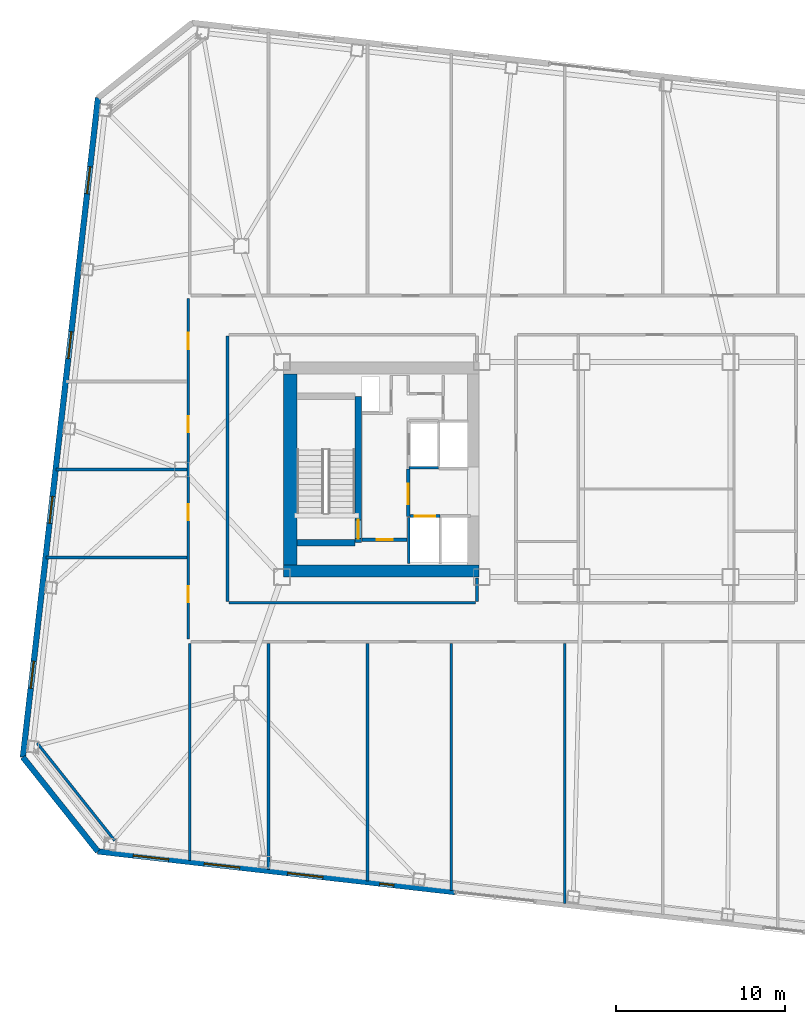
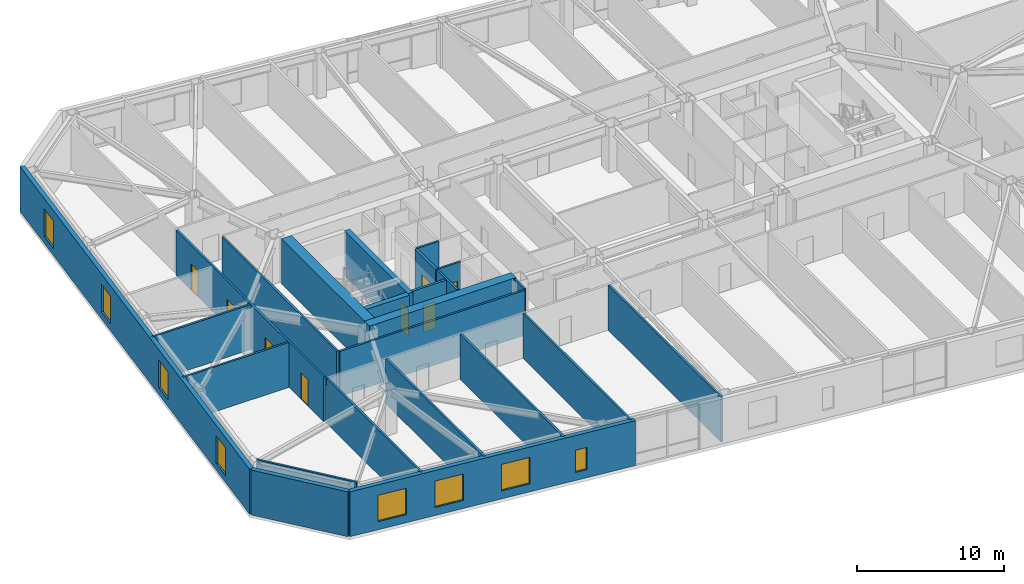
# One storey, part 11 of 21: 24 walls, 8 doors, 8 windows, 16 openings.
"""IFC4 building model written with IfcOpenShell, lengths in metres."""

from ifc_helpers import new_model, si_unit, direction, frame, frame_2d, origin, place, context, subcontext, project, spatial, rectangle, extrude, material, layer, layer_set, type_object, element, fill, save


model = new_model("IFC4")

# Units and contexts
model_context = context("Model", 3, precision=1e-05, world=origin(), true_north=direction((0.0, 1.0)))
body_context = subcontext(model_context, "Body", "Model", "MODEL_VIEW")
ifc_project = project(units=[si_unit("LENGTHUNIT", "METRE"), si_unit("AREAUNIT", "SQUARE_METRE"), si_unit("VOLUMEUNIT", "CUBIC_METRE"), si_unit("PLANEANGLEUNIT", "RADIAN"), si_unit("MASSUNIT", "GRAM", prefix="KILO")], contexts=[model_context])

# Site, building, storey
site_placement = place(None, origin())
site = spatial("IfcSite", under=ifc_project, at=site_placement, CompositionType="ELEMENT")
building_placement = place(site_placement, origin())
building = spatial("IfcBuilding", under=site, at=building_placement, Name="Tavrogorsk Clinical Tower", CompositionType="ELEMENT")
storey_placement = place(building_placement, frame((0.0, 0.0, 129.39990234375)))
storey = spatial("IfcBuildingStorey", under=building, at=storey_placement, Name="L29", CompositionType="ELEMENT", Elevation=129.39990234375)

# Wall, opening, door
ifc_material_1 = material(Name="Concrete B60", Category="concrete")
ifc_layer_1 = layer(ifc_material_1, 0.199951171875)
ifc_layer_set_1 = layer_set([ifc_layer_1], Name="Concrete B60")
wall_type_1 = type_object("IfcWallType", Name="CoreFireWall_200", PredefinedType="SOLIDWALL", material=ifc_layer_set_1)
wall_1_placement = place(storey_placement, frame((-17.3798828125, -4.139892578125, 0.0), z_axis=(0.0, 0.0, 1.0), x_axis=(1.0, 0.0, 0.0)))
wall_1 = element("IfcWall", 1, at=wall_1_placement, inside=storey, type_object=wall_type_1, Name="L29 Core West South Core Room Fire Wall", PredefinedType="SOLIDWALL", context=body_context, shape_type="SweptSolid", body=[
    extrude(rectangle(XDim=2.659912109375, YDim=0.199951171875, at=frame_2d((1.330078125, 0.0))), origin(), (0.0, 0.0, 1.0), 3.739990234375),
])
opening_1_placement = place(wall_1_placement, frame((0.8798828125, 0.0, 0.0)))
opening_1 = element("IfcOpeningElement", 2, at=opening_1_placement, cuts=wall_1, Name="Opening ID-02", PredefinedType="OPENING", context=body_context, shape_type="SweptSolid", body=[
    extrude(rectangle(XDim=0.949951171875, YDim=2.199951171875, at=frame_2d((0.47509765625, 1.10009765625))), frame((0.0, 0.10986328125, 0.0), z_axis=(0.0, -1.0, 0.0), x_axis=(1.0, 0.0, 0.0)), (0.0, 0.0, 1.0), 0.219970703125),
])
ifc_material_2 = material(Name="Laminated timber leaf on aluminium frame", Category="wood")
door_type_1 = type_object("IfcDoorType", Name="InteriorDoor_ID02_950", OperationType="NOTDEFINED", PredefinedType="DOOR", material=ifc_material_2)
door_1_placement = place(opening_1_placement, origin())
door_1 = element("IfcDoor", 3, at=door_1_placement, inside=storey, type_object=door_type_1, Name="L29 Core West South Core Room Door", OperationType="SINGLE_SWING_RIGHT", OverallHeight=2.199951171875, OverallWidth=0.949951171875, PredefinedType="DOOR", context=body_context, shape_type="SweptSolid", body=[
    extrude(rectangle(XDim=0.949951171875, YDim=2.199951171875, at=frame_2d((0.47509765625, 1.10009765625))), frame((0.0, 0.02490234375, 0.0), z_axis=(0.0, -1.0, 0.0), x_axis=(1.0, 0.0, 0.0)), (0.0, 0.0, 1.0), 0.050048828125),
])
fill(opening_1, door_1)

wall_2_placement = place(storey_placement, frame((-14.639892578125, -2.780029296875, 0.0), z_axis=(0.0, 0.0, 1.0), x_axis=(0.0, 1.0, 0.0)))
wall_2 = element("IfcWall", 4, at=wall_2_placement, inside=storey, type_object=wall_type_1, Name="L29 Core West Firefighting Lobby Fire Wall", PredefinedType="SOLIDWALL", context=body_context, shape_type="SweptSolid", body=[
    extrude(rectangle(XDim=2.820068359375, YDim=0.199951171875, at=frame_2d((1.41015625, 0.0))), origin(), (0.0, 0.0, 1.0), 3.739990234375),
])
opening_2_placement = place(wall_2_placement, frame((0.72998046875, 0.0, 0.0)))
opening_2 = element("IfcOpeningElement", 5, at=opening_2_placement, cuts=wall_2, Name="Opening FD-01", PredefinedType="OPENING", context=body_context, shape_type="SweptSolid", body=[
    extrude(rectangle(XDim=1.199951171875, YDim=2.199951171875, at=frame_2d((0.60009765625, 1.10009765625))), frame((0.0, 0.10986328125, 0.0), z_axis=(0.0, -1.0, 0.0), x_axis=(1.0, 0.0, 0.0)), (0.0, 0.0, 1.0), 0.219970703125),
])
ifc_material_3 = material(Name="Galvanised steel fire-rated door assembly", Category="steel")
door_type_2 = type_object("IfcDoorType", Name="FireDoor_FD01_1200", OperationType="NOTDEFINED", PredefinedType="DOOR", material=ifc_material_3)
door_2_placement = place(opening_2_placement, origin())
door_2 = element("IfcDoor", 6, at=door_2_placement, inside=storey, type_object=door_type_2, Name="L29 Core West Firefighting Lobby Entry Door", OperationType="SINGLE_SWING_LEFT", OverallHeight=2.199951171875, OverallWidth=1.199951171875, PredefinedType="DOOR", context=body_context, shape_type="SweptSolid", body=[
    extrude(rectangle(XDim=1.199951171875, YDim=2.199951171875, at=frame_2d((0.60009765625, 1.10009765625))), frame((0.0, 0.02490234375, 0.0), z_axis=(0.0, -1.0, 0.0), x_axis=(1.0, 0.0, 0.0)), (0.0, 0.0, 1.0), 0.050048828125),
])
fill(opening_2, door_2)

# Wall
ifc_material_4 = material(Name="Lightweight concrete blockwork B15", Category="masonry")
ifc_layer_2 = layer(ifc_material_4, 0.159912109375)
ifc_layer_set_2 = layer_set([ifc_layer_2], Name="Lightweight concrete blockwork B15")
wall_type_2 = type_object("IfcWallType", Name="PartitionWall_160", PredefinedType="PARTITIONING", material=ifc_layer_set_2)
wall_3_placement = place(storey_placement, frame((-36.555908203125, -16.161865234375, 0.0), z_axis=(0.0, 0.0, 1.0), x_axis=(0.622522641622, -0.782601789334, 0.0)))
element("IfcWall", 7, at=wall_3_placement, inside=storey, type_object=wall_type_2, Name="L29 Corner Exoskeleton Brace Furring Wall 4", PredefinedType="PARTITIONING", context=body_context, shape_type="SweptSolid", body=[
    extrude(rectangle(XDim=7.354248046875, YDim=0.159912109375, at=frame_2d((3.67724609375, 0.0))), origin(), (0.0, 0.0, 1.0), 3.739990234375),
])

# Wall, openings, doors
wall_4_placement = place(storey_placement, frame((-27.6298828125, -10.014892578125, 0.0), z_axis=(0.0, 0.0, 1.0), x_axis=(0.0, 1.0, 0.0)))
wall_4 = element("IfcWall", 8, at=wall_4_placement, inside=storey, type_object=wall_type_2, Name="L29 Corridor Partition 01", PredefinedType="PARTITIONING", context=body_context, shape_type="SweptSolid", body=[
    extrude(rectangle(XDim=20.1298828125, YDim=0.159912109375, at=frame_2d((10.06494140625, 0.0))), origin(), (0.0, 0.0, 1.0), 3.739990234375),
])
opening_3_placement = place(wall_4_placement, frame((2.169189453125, 0.0, 0.0)))
opening_3 = element("IfcOpeningElement", 9, at=opening_3_placement, cuts=wall_4, Name="Opening ID-02", PredefinedType="OPENING", context=body_context, shape_type="SweptSolid", body=[
    extrude(rectangle(XDim=0.949951171875, YDim=2.199951171875, at=frame_2d((0.47509765625, 1.10009765625))), frame((0.0, 0.08984375, 0.0), z_axis=(0.0, -1.0, 0.0), x_axis=(1.0, 0.0, 0.0)), (0.0, 0.0, 1.0), 0.179931640625),
])
opening_4_placement = place(wall_4_placement, frame((7.02490234375, 0.0, 0.0)))
opening_4 = element("IfcOpeningElement", 10, at=opening_4_placement, cuts=wall_4, Name="Opening ID-02", PredefinedType="OPENING", context=body_context, shape_type="SweptSolid", body=[
    extrude(rectangle(XDim=0.949951171875, YDim=2.199951171875, at=frame_2d((0.47509765625, 1.10009765625))), frame((0.0, 0.08984375, 0.0), z_axis=(0.0, -1.0, 0.0), x_axis=(1.0, 0.0, 0.0)), (0.0, 0.0, 1.0), 0.179931640625),
])
opening_5_placement = place(wall_4_placement, frame((12.22509765625, 0.0, 0.0)))
opening_5 = element("IfcOpeningElement", 11, at=opening_5_placement, cuts=wall_4, Name="Opening ID-02", PredefinedType="OPENING", context=body_context, shape_type="SweptSolid", body=[
    extrude(rectangle(XDim=0.949951171875, YDim=2.199951171875, at=frame_2d((0.47509765625, 1.10009765625))), frame((0.0, 0.08984375, 0.0), z_axis=(0.0, -1.0, 0.0), x_axis=(1.0, 0.0, 0.0)), (0.0, 0.0, 1.0), 0.179931640625),
])
opening_6_placement = place(wall_4_placement, frame((17.130859375, 0.0, 0.0)))
opening_6 = element("IfcOpeningElement", 12, at=opening_6_placement, cuts=wall_4, Name="Opening ID-02", PredefinedType="OPENING", context=body_context, shape_type="SweptSolid", body=[
    extrude(rectangle(XDim=0.949951171875, YDim=2.199951171875, at=frame_2d((0.47509765625, 1.10009765625))), frame((0.0, 0.08984375, 0.0), z_axis=(0.0, -1.0, 0.0), x_axis=(1.0, 0.0, 0.0)), (0.0, 0.0, 1.0), 0.179931640625),
])
door_3_placement = place(opening_3_placement, origin())
door_3 = element("IfcDoor", 13, at=door_3_placement, inside=storey, type_object=door_type_1, Name="L29 W Solarium Day Room & Lounge 1 Door", OperationType="SINGLE_SWING_RIGHT", OverallHeight=2.199951171875, OverallWidth=0.949951171875, PredefinedType="DOOR", context=body_context, shape_type="SweptSolid", body=[
    extrude(rectangle(XDim=0.949951171875, YDim=2.199951171875, at=frame_2d((0.47509765625, 1.10009765625))), frame((0.0, 0.02490234375, 0.0), z_axis=(0.0, -1.0, 0.0), x_axis=(1.0, 0.0, 0.0)), (0.0, 0.0, 1.0), 0.050048828125),
])
fill(opening_3, door_3)
door_4_placement = place(opening_4_placement, origin())
door_4 = element("IfcDoor", 14, at=door_4_placement, inside=storey, type_object=door_type_1, Name="L29 W Rehabilitation Therapy Suite 2 Door", OperationType="SINGLE_SWING_LEFT", OverallHeight=2.199951171875, OverallWidth=0.949951171875, PredefinedType="DOOR", context=body_context, shape_type="SweptSolid", body=[
    extrude(rectangle(XDim=0.949951171875, YDim=2.199951171875, at=frame_2d((0.47509765625, 1.10009765625))), frame((0.0, 0.02490234375, 0.0), z_axis=(0.0, -1.0, 0.0), x_axis=(1.0, 0.0, 0.0)), (0.0, 0.0, 1.0), 0.050048828125),
])
fill(opening_4, door_4)
door_5_placement = place(opening_5_placement, origin())
door_5 = element("IfcDoor", 15, at=door_5_placement, inside=storey, type_object=door_type_1, Name="L29 W Sub-Acute Observation Suite 3 Door", OperationType="SINGLE_SWING_RIGHT", OverallHeight=2.199951171875, OverallWidth=0.949951171875, PredefinedType="DOOR", context=body_context, shape_type="SweptSolid", body=[
    extrude(rectangle(XDim=0.949951171875, YDim=2.199951171875, at=frame_2d((0.47509765625, 1.10009765625))), frame((0.0, 0.02490234375, 0.0), z_axis=(0.0, -1.0, 0.0), x_axis=(1.0, 0.0, 0.0)), (0.0, 0.0, 1.0), 0.050048828125),
])
fill(opening_5, door_5)
door_6_placement = place(opening_6_placement, origin())
door_6 = element("IfcDoor", 16, at=door_6_placement, inside=storey, type_object=door_type_1, Name="L29 W Family Consultation Lounge 4 Door", OperationType="SINGLE_SWING_LEFT", OverallHeight=2.199951171875, OverallWidth=0.949951171875, PredefinedType="DOOR", context=body_context, shape_type="SweptSolid", body=[
    extrude(rectangle(XDim=0.949951171875, YDim=2.199951171875, at=frame_2d((0.47509765625, 1.10009765625))), frame((0.0, 0.02490234375, 0.0), z_axis=(0.0, -1.0, 0.0), x_axis=(1.0, 0.0, 0.0)), (0.0, 0.0, 1.0), 0.050048828125),
])
fill(opening_6, door_6)

# Walls
wall_5_placement = place(storey_placement, frame((-10.580078125, -7.784912109375, 0.0), z_axis=(0.0, 0.0, 1.0), x_axis=(0.0, 1.0, 0.0)))
element("IfcWall", 17, at=wall_5_placement, inside=storey, type_object=wall_type_2, Name="L29 Corridor Partition 14", PredefinedType="PARTITIONING", context=body_context, shape_type="SweptSolid", body=[
    extrude(rectangle(XDim=1.364990234375, YDim=0.159912109375, at=frame_2d((0.6826171875, 0.0))), origin(), (0.0, 0.0, 1.0), 3.739990234375),
])
wall_6_placement = place(storey_placement, frame((-25.320068359375, 7.885009765625, 0.0), z_axis=(0.0, 0.0, 1.0), x_axis=(0.0, -1.0, 0.0)))
element("IfcWall", 18, at=wall_6_placement, inside=storey, type_object=wall_type_2, Name="L29 Corridor Partition 17", PredefinedType="PARTITIONING", context=body_context, shape_type="SweptSolid", body=[
    extrude(rectangle(XDim=15.669921875, YDim=0.159912109375, at=frame_2d((7.8349609375, 0.0))), origin(), (0.0, 0.0, 1.0), 3.739990234375),
])
wall_7_placement = place(storey_placement, frame((-25.235107421875, -7.8701171875, 0.0), z_axis=(0.0, 0.0, 1.0), x_axis=(1.0, 0.0, 0.0)))
element("IfcWall", 19, at=wall_7_placement, inside=storey, type_object=wall_type_2, Name="L29 Corridor Partition 18", PredefinedType="PARTITIONING", context=body_context, shape_type="SweptSolid", body=[
    extrude(rectangle(XDim=14.570068359375, YDim=0.159912109375, at=frame_2d((7.28515625, 0.0))), origin(), (0.0, 0.0, 1.0), 3.739990234375),
])
wall_8_placement = place(storey_placement, frame((-27.550048828125, -23.1064453125, 0.0), z_axis=(0.0, 0.0, 1.0), x_axis=(0.0, 1.0, 0.0)))
element("IfcWall", 20, at=wall_8_placement, inside=storey, type_object=wall_type_2, Name="L29 SW Wing Closure Partition", PredefinedType="PARTITIONING", context=body_context, shape_type="SweptSolid", body=[
    extrude(rectangle(XDim=12.841552734375, YDim=0.159912109375, at=frame_2d((6.4208984375, 0.0))), origin(), (0.0, 0.0, 1.0), 3.739990234375),
])
wall_9_placement = place(storey_placement, frame((-22.89990234375, -23.63623046875, 0.0), z_axis=(0.0, 0.0, 1.0), x_axis=(0.0, 1.0, 0.0)))
element("IfcWall", 21, at=wall_9_placement, inside=storey, type_object=wall_type_2, Name="L29 South Room Partition 1", PredefinedType="PARTITIONING", context=body_context, shape_type="SweptSolid", body=[
    extrude(rectangle(XDim=13.371337890625, YDim=0.159912109375, at=frame_2d((6.685546875, 0.0))), origin(), (0.0, 0.0, 1.0), 3.739990234375),
])
wall_10_placement = place(storey_placement, frame((-12.10009765625, -24.86669921875, 0.0), z_axis=(0.0, 0.0, 1.0), x_axis=(0.0, 1.0, 0.0)))
element("IfcWall", 22, at=wall_10_placement, inside=storey, type_object=wall_type_2, Name="L29 South Room Partition 2", PredefinedType="PARTITIONING", context=body_context, shape_type="SweptSolid", body=[
    extrude(rectangle(XDim=14.601806640625, YDim=0.159912109375, at=frame_2d((7.30078125, 0.0))), origin(), (0.0, 0.0, 1.0), 3.739990234375),
])
wall_11_placement = place(storey_placement, frame((-17.050048828125, -24.302734375, 0.0), z_axis=(0.0, 0.0, 1.0), x_axis=(0.0, 1.0, 0.0)))
element("IfcWall", 23, at=wall_11_placement, inside=storey, type_object=wall_type_2, Name="L29 South Sub-Partition 2", PredefinedType="PARTITIONING", context=body_context, shape_type="SweptSolid", body=[
    extrude(rectangle(XDim=14.037841796875, YDim=0.159912109375, at=frame_2d((7.01904296875, 0.0))), origin(), (0.0, 0.0, 1.0), 3.739990234375),
])
wall_12_placement = place(storey_placement, frame((-5.39990234375, -25.630126953125, 0.0), z_axis=(0.0, 0.0, 1.0), x_axis=(0.0, 1.0, 0.0)))
element("IfcWall", 24, at=wall_12_placement, inside=storey, type_object=wall_type_2, Name="L29 South Sub-Partition 3", PredefinedType="PARTITIONING", context=body_context, shape_type="SweptSolid", body=[
    extrude(rectangle(XDim=15.365234375, YDim=0.159912109375, at=frame_2d((7.6826171875, 0.0))), origin(), (0.0, 0.0, 1.0), 3.739990234375),
])
wall_13_placement = place(storey_placement, frame((-36.0419921875, -5.199951171875, 0.0), z_axis=(0.0, 0.0, 1.0), x_axis=(1.0, 0.0, 0.0)))
element("IfcWall", 25, at=wall_13_placement, inside=storey, type_object=wall_type_2, Name="L29 W Wing Divider 1", PredefinedType="PARTITIONING", context=body_context, shape_type="SweptSolid", body=[
    extrude(rectangle(XDim=8.326904296875, YDim=0.159912109375, at=frame_2d((4.16357421875, 0.0))), origin(), (0.0, 0.0, 1.0), 3.739990234375),
])
wall_14_placement = place(storey_placement, frame((-35.449462890625, 0.0, 0.0), z_axis=(0.0, 0.0, 1.0), x_axis=(1.0, 0.0, 0.0)))
element("IfcWall", 26, at=wall_14_placement, inside=storey, type_object=wall_type_2, Name="L29 W Wing Divider 2", PredefinedType="PARTITIONING", context=body_context, shape_type="SweptSolid", body=[
    extrude(rectangle(XDim=7.734375, YDim=0.159912109375, at=frame_2d((3.8671875, 0.0))), origin(), (0.0, 0.0, 1.0), 3.739990234375),
])

# Wall, openings, windows
ifc_material_5 = material(Name="Precast concrete B45 with limestone cladding", Category="masonry")
ifc_layer_3 = layer(ifc_material_5, 0.340087890625)
ifc_layer_set_3 = layer_set([ifc_layer_3], Name="Precast concrete B45 with limestone cladding")
wall_type_3 = type_object("IfcWallType", Name="PrecastLimestoneWall_340", PredefinedType="STANDARD", material=ifc_layer_set_3)
wall_15_placement = place(storey_placement, frame((-32.977294921875, -22.55859375, 0.0), z_axis=(0.0, 0.0, 1.0), x_axis=(0.993571214605, -0.113208840243, 0.0)))
wall_15 = element("IfcWall", 27, at=wall_15_placement, inside=storey, type_object=wall_type_3, Name="L29 S Limestone Facade Wall 1", PredefinedType="STANDARD", context=body_context, shape_type="SweptSolid", body=[
    extrude(rectangle(XDim=21.22265625, YDim=0.340087890625, at=frame_2d((10.611328125, 0.0))), origin(), (0.0, 0.0, 1.0), 3.739990234375),
])
opening_7_placement = place(wall_15_placement, frame((2.10791015625, 0.0, 0.669921875)))
opening_7 = element("IfcOpeningElement", 28, at=opening_7_placement, cuts=wall_15, Name="Opening WN-03", PredefinedType="OPENING", context=body_context, shape_type="SweptSolid", body=[
    extrude(rectangle(XDim=2.10009765625, YDim=2.199951171875, at=frame_2d((1.050048828125, 1.10009765625))), frame((0.0, 0.179931640625, 0.0), z_axis=(0.0, -1.0, 0.0), x_axis=(1.0, 0.0, 0.0)), (0.0, 0.0, 1.0), 0.360107421875),
])
opening_8_placement = place(wall_15_placement, frame((6.329345703125, 0.0, 0.669921875)))
opening_8 = element("IfcOpeningElement", 29, at=opening_8_placement, cuts=wall_15, Name="Opening WN-03", PredefinedType="OPENING", context=body_context, shape_type="SweptSolid", body=[
    extrude(rectangle(XDim=2.10009765625, YDim=2.199951171875, at=frame_2d((1.050048828125, 1.10009765625))), frame((0.0, 0.179931640625, 0.0), z_axis=(0.0, -1.0, 0.0), x_axis=(1.0, 0.0, 0.0)), (0.0, 0.0, 1.0), 0.360107421875),
])
opening_9_placement = place(wall_15_placement, frame((11.284912109375, 0.0, 0.669921875)))
opening_9 = element("IfcOpeningElement", 30, at=opening_9_placement, cuts=wall_15, Name="Opening WN-03", PredefinedType="OPENING", context=body_context, shape_type="SweptSolid", body=[
    extrude(rectangle(XDim=2.10009765625, YDim=2.199951171875, at=frame_2d((1.050048828125, 1.10009765625))), frame((0.0, 0.179931640625, 0.0), z_axis=(0.0, -1.0, 0.0), x_axis=(1.0, 0.0, 0.0)), (0.0, 0.0, 1.0), 0.360107421875),
])
opening_10_placement = place(wall_15_placement, frame((16.75634765625, 0.0, 0.669921875)))
opening_10 = element("IfcOpeningElement", 31, at=opening_10_placement, cuts=wall_15, Name="Opening WN-06", PredefinedType="OPENING", context=body_context, shape_type="SweptSolid", body=[
    extrude(rectangle(XDim=0.85009765625, YDim=1.85009765625, at=frame_2d((0.425048828125, 0.925048828125))), frame((0.0, 0.179931640625, 0.0), z_axis=(0.0, -1.0, 0.0), x_axis=(1.0, 0.0, 0.0)), (0.0, 0.0, 1.0), 0.360107421875),
])
ifc_material_6 = material(Name="Thermally broken aluminium frame and triple IGU", Category="aluminium")
window_type_1 = type_object("IfcWindowType", Name="MullionSubWin_850x1850", PartitioningType="SINGLE_PANEL", PredefinedType="WINDOW", material=ifc_material_6)
window_1_placement = place(opening_10_placement, origin())
window_1 = element("IfcWindow", 32, at=window_1_placement, inside=storey, type_object=window_type_1, Name="L29 S Mullion Split Window 04B", OverallHeight=1.85009765625, OverallWidth=0.85009765625, PartitioningType="SINGLE_PANEL", PredefinedType="WINDOW", context=body_context, shape_type="SweptSolid", body=[
    extrude(rectangle(XDim=0.85009765625, YDim=1.85009765625, at=frame_2d((0.425048828125, 0.925048828125))), frame((0.0, 0.030029296875, 0.0), z_axis=(0.0, -1.0, 0.0), x_axis=(1.0, 0.0, 0.0)), (0.0, 0.0, 1.0), 0.06005859375),
])
fill(opening_10, window_1)
ifc_material_7 = material(Name="Thermally broken aluminium frame and triple IGU", Category="aluminium")
window_type_2 = type_object("IfcWindowType", Name="PatientTwinWin_2100x2200", PartitioningType="DOUBLE_PANEL_VERTICAL", PredefinedType="WINDOW", material=ifc_material_7)
window_2_placement = place(opening_7_placement, origin())
window_2 = element("IfcWindow", 33, at=window_2_placement, inside=storey, type_object=window_type_2, Name="L29 S Chicago Window 01", OverallHeight=2.199951171875, OverallWidth=2.10009765625, PartitioningType="SINGLE_PANEL", PredefinedType="WINDOW", context=body_context, shape_type="SweptSolid", body=[
    extrude(rectangle(XDim=2.10009765625, YDim=2.199951171875, at=frame_2d((1.050048828125, 1.10009765625))), frame((0.0, 0.030029296875, 0.0), z_axis=(0.0, -1.0, 0.0), x_axis=(1.0, 0.0, 0.0)), (0.0, 0.0, 1.0), 0.06005859375),
])
fill(opening_7, window_2)
window_3_placement = place(opening_8_placement, origin())
window_3 = element("IfcWindow", 34, at=window_3_placement, inside=storey, type_object=window_type_2, Name="L29 S Chicago Window 02", OverallHeight=2.199951171875, OverallWidth=2.10009765625, PartitioningType="SINGLE_PANEL", PredefinedType="WINDOW", context=body_context, shape_type="SweptSolid", body=[
    extrude(rectangle(XDim=2.10009765625, YDim=2.199951171875, at=frame_2d((1.050048828125, 1.10009765625))), frame((0.0, 0.030029296875, 0.0), z_axis=(0.0, -1.0, 0.0), x_axis=(1.0, 0.0, 0.0)), (0.0, 0.0, 1.0), 0.06005859375),
])
fill(opening_8, window_3)
window_4_placement = place(opening_9_placement, origin())
window_4 = element("IfcWindow", 35, at=window_4_placement, inside=storey, type_object=window_type_2, Name="L29 S Chicago Window 03", OverallHeight=2.199951171875, OverallWidth=2.10009765625, PartitioningType="SINGLE_PANEL", PredefinedType="WINDOW", context=body_context, shape_type="SweptSolid", body=[
    extrude(rectangle(XDim=2.10009765625, YDim=2.199951171875, at=frame_2d((1.050048828125, 1.10009765625))), frame((0.0, 0.030029296875, 0.0), z_axis=(0.0, -1.0, 0.0), x_axis=(1.0, 0.0, 0.0)), (0.0, 0.0, 1.0), 0.06005859375),
])
fill(opening_9, window_4)

wall_16_placement = place(storey_placement, frame((-32.968017578125, 21.95654296875, 0.0), z_axis=(0.0, 0.0, 1.0), x_axis=(-0.113201605824, -0.993572038877, 0.0)))
wall_16 = element("IfcWall", 36, at=wall_16_placement, inside=storey, type_object=wall_type_3, Name="L29 W Pleated Limestone Wing Wall", PredefinedType="STANDARD", context=body_context, shape_type="SweptSolid", body=[
    extrude(rectangle(XDim=39.199951171875, YDim=0.340087890625, at=frame_2d((19.60009765625, 0.0))), origin(), (0.0, 0.0, 1.0), 3.739990234375),
])
opening_11_placement = place(wall_16_placement, frame((4.10009765625, 0.0, 0.580078125)))
opening_11 = element("IfcOpeningElement", 37, at=opening_11_placement, cuts=wall_16, Name="Opening WN-07", PredefinedType="OPENING", context=body_context, shape_type="SweptSolid", body=[
    extrude(rectangle(XDim=1.60009765625, YDim=2.300048828125, at=frame_2d((0.800048828125, 1.14990234375))), frame((0.0, 0.179931640625, 0.0), z_axis=(0.0, -1.0, 0.0), x_axis=(1.0, 0.0, 0.0)), (0.0, 0.0, 1.0), 0.360107421875),
])
opening_12_placement = place(wall_16_placement, frame((13.89990234375, 0.0, 0.580078125)))
opening_12 = element("IfcOpeningElement", 38, at=opening_12_placement, cuts=wall_16, Name="Opening WN-07", PredefinedType="OPENING", context=body_context, shape_type="SweptSolid", body=[
    extrude(rectangle(XDim=1.60009765625, YDim=2.300048828125, at=frame_2d((0.800048828125, 1.14990234375))), frame((0.0, 0.179931640625, 0.0), z_axis=(0.0, -1.0, 0.0), x_axis=(1.0, 0.0, 0.0)), (0.0, 0.0, 1.0), 0.360107421875),
])
opening_13_placement = place(wall_16_placement, frame((23.699951171875, 0.0, 0.580078125)))
opening_13 = element("IfcOpeningElement", 39, at=opening_13_placement, cuts=wall_16, Name="Opening WN-07", PredefinedType="OPENING", context=body_context, shape_type="SweptSolid", body=[
    extrude(rectangle(XDim=1.60009765625, YDim=2.300048828125, at=frame_2d((0.800048828125, 1.14990234375))), frame((0.0, 0.179931640625, 0.0), z_axis=(0.0, -1.0, 0.0), x_axis=(1.0, 0.0, 0.0)), (0.0, 0.0, 1.0), 0.360107421875),
])
opening_14_placement = place(wall_16_placement, frame((33.5, 0.0, 0.580078125)))
opening_14 = element("IfcOpeningElement", 40, at=opening_14_placement, cuts=wall_16, Name="Opening WN-07", PredefinedType="OPENING", context=body_context, shape_type="SweptSolid", body=[
    extrude(rectangle(XDim=1.60009765625, YDim=2.300048828125, at=frame_2d((0.800048828125, 1.14990234375))), frame((0.0, 0.179931640625, 0.0), z_axis=(0.0, -1.0, 0.0), x_axis=(1.0, 0.0, 0.0)), (0.0, 0.0, 1.0), 0.360107421875),
])
ifc_material_8 = material(Name="Thermally broken aluminium frame and triple IGU", Category="aluminium")
window_type_3 = type_object("IfcWindowType", Name="PleatSlotWin_1600x2300", PartitioningType="SINGLE_PANEL", PredefinedType="WINDOW", material=ifc_material_8)
window_5_placement = place(opening_11_placement, origin())
window_5 = element("IfcWindow", 41, at=window_5_placement, inside=storey, type_object=window_type_3, Name="L29 W Pleat Slot Window 1", OverallHeight=2.300048828125, OverallWidth=1.60009765625, PartitioningType="SINGLE_PANEL", PredefinedType="WINDOW", context=body_context, shape_type="SweptSolid", body=[
    extrude(rectangle(XDim=1.60009765625, YDim=2.300048828125, at=frame_2d((0.800048828125, 1.14990234375))), frame((0.0, 0.030029296875, 0.0), z_axis=(0.0, -1.0, 0.0), x_axis=(1.0, 0.0, 0.0)), (0.0, 0.0, 1.0), 0.06005859375),
])
fill(opening_11, window_5)
window_6_placement = place(opening_12_placement, origin())
window_6 = element("IfcWindow", 42, at=window_6_placement, inside=storey, type_object=window_type_3, Name="L29 W Pleat Slot Window 2", OverallHeight=2.300048828125, OverallWidth=1.60009765625, PartitioningType="SINGLE_PANEL", PredefinedType="WINDOW", context=body_context, shape_type="SweptSolid", body=[
    extrude(rectangle(XDim=1.60009765625, YDim=2.300048828125, at=frame_2d((0.800048828125, 1.14990234375))), frame((0.0, 0.030029296875, 0.0), z_axis=(0.0, -1.0, 0.0), x_axis=(1.0, 0.0, 0.0)), (0.0, 0.0, 1.0), 0.06005859375),
])
fill(opening_12, window_6)
window_7_placement = place(opening_13_placement, origin())
window_7 = element("IfcWindow", 43, at=window_7_placement, inside=storey, type_object=window_type_3, Name="L29 W Pleat Slot Window 3", OverallHeight=2.300048828125, OverallWidth=1.60009765625, PartitioningType="SINGLE_PANEL", PredefinedType="WINDOW", context=body_context, shape_type="SweptSolid", body=[
    extrude(rectangle(XDim=1.60009765625, YDim=2.300048828125, at=frame_2d((0.800048828125, 1.14990234375))), frame((0.0, 0.030029296875, 0.0), z_axis=(0.0, -1.0, 0.0), x_axis=(1.0, 0.0, 0.0)), (0.0, 0.0, 1.0), 0.06005859375),
])
fill(opening_13, window_7)
window_8_placement = place(opening_14_placement, origin())
window_8 = element("IfcWindow", 44, at=window_8_placement, inside=storey, type_object=window_type_3, Name="L29 W Pleat Slot Window 4", OverallHeight=2.300048828125, OverallWidth=1.60009765625, PartitioningType="SINGLE_PANEL", PredefinedType="WINDOW", context=body_context, shape_type="SweptSolid", body=[
    extrude(rectangle(XDim=1.60009765625, YDim=2.300048828125, at=frame_2d((0.800048828125, 1.14990234375))), frame((0.0, 0.030029296875, 0.0), z_axis=(0.0, -1.0, 0.0), x_axis=(1.0, 0.0, 0.0)), (0.0, 0.0, 1.0), 0.06005859375),
])
fill(opening_14, window_8)

# Walls
wall_17_placement = place(storey_placement, frame((-37.405517578125, -16.991455078125, 0.0), z_axis=(0.0, 0.0, 1.0), x_axis=(0.622507800567, -0.78261359446, 0.0)))
element("IfcWall", 45, at=wall_17_placement, inside=storey, type_object=wall_type_3, Name="L29 Chamfered Corner Wall 4", PredefinedType="STANDARD", context=body_context, shape_type="SweptSolid", body=[
    extrude(rectangle(XDim=7.113525390625, YDim=0.340087890625, at=frame_2d((3.556640625, 0.0))), origin(), (0.0, 0.0, 1.0), 3.739990234375),
])
ifc_material_9 = material(Name="Lightweight concrete blockwork B25", Category="masonry")
ifc_layer_4 = layer(ifc_material_9, 0.159912109375)
ifc_layer_set_4 = layer_set([ifc_layer_4], Name="Lightweight concrete blockwork B25")
wall_type_4 = type_object("IfcWallType", Name="ShaftWall_160", PredefinedType="PARTITIONING", material=ifc_layer_set_4)
wall_18_placement = place(storey_placement, frame((-14.60009765625, 0.10009765625, 0.0), z_axis=(0.0, 0.0, 1.0), x_axis=(1.0, 0.0, 0.0)))
element("IfcWall", 46, at=wall_18_placement, inside=storey, type_object=wall_type_4, Name="L29 FFL-W Shaft South Wall", PredefinedType="PARTITIONING", context=body_context, shape_type="SweptSolid", body=[
    extrude(rectangle(XDim=1.760009765625, YDim=0.159912109375, at=frame_2d((0.8798828125, 0.0))), origin(), (0.0, 0.0, 1.0), 3.739990234375),
])

# Wall, opening, door
wall_19_placement = place(storey_placement, frame((-14.530029296875, -2.75, 0.0), z_axis=(0.0, 0.0, 1.0), x_axis=(1.0, 0.0, 0.0)))
wall_19 = element("IfcWall", 47, at=wall_19_placement, inside=storey, type_object=wall_type_4, Name="L29 LP-L1 Lift Shaft Portal Wall", PredefinedType="PARTITIONING", context=body_context, shape_type="SweptSolid", body=[
    extrude(rectangle(XDim=1.760009765625, YDim=0.159912109375, at=frame_2d((0.8798828125, 0.0))), origin(), (0.0, 0.0, 1.0), 3.739990234375),
])
opening_15_placement = place(wall_19_placement, frame((0.280029296875, 0.0, 0.0)))
opening_15 = element("IfcOpeningElement", 48, at=opening_15_placement, cuts=wall_19, Name="Opening LD", PredefinedType="OPENING", context=body_context, shape_type="SweptSolid", body=[
    extrude(rectangle(XDim=1.199951171875, YDim=2.199951171875, at=frame_2d((0.60009765625, 1.10009765625))), frame((0.0, 0.08984375, 0.0), z_axis=(0.0, -1.0, 0.0), x_axis=(1.0, 0.0, 0.0)), (0.0, 0.0, 1.0), 0.179931640625),
])
ifc_material_10 = material(Name="Brushed stainless steel AISI 304 sliding doors", Category="steel")
door_type_3 = type_object("IfcDoorType", Name="LiftLandingDoor_LD_1200", OperationType="SLIDING_TO_LEFT", PredefinedType="DOOR", material=ifc_material_10)
door_7_placement = place(opening_15_placement, origin())
door_7 = element("IfcDoor", 49, at=door_7_placement, inside=storey, type_object=door_type_3, Name="L29 LP-L1 Sliding Lift Landing Door", OperationType="SLIDING_TO_LEFT", OverallHeight=2.199951171875, OverallWidth=1.199951171875, PredefinedType="DOOR", context=body_context, shape_type="SweptSolid", body=[
    extrude(rectangle(XDim=1.199951171875, YDim=2.199951171875, at=frame_2d((0.60009765625, 1.10009765625))), frame((0.0, 0.02490234375, 0.0), z_axis=(0.0, -1.0, 0.0), x_axis=(1.0, 0.0, 0.0)), (0.0, 0.0, 1.0), 0.050048828125),
])
fill(opening_15, door_7)

# Wall
wall_20_placement = place(storey_placement, frame((-14.610107421875, -5.5400390625, 0.0), z_axis=(0.0, 0.0, 1.0), x_axis=(0.0, 1.0, 0.0)))
element("IfcWall", 50, at=wall_20_placement, inside=storey, type_object=wall_type_4, Name="L29 LP-L1 Lift Hoistway Outer Cheek Wall", PredefinedType="PARTITIONING", context=body_context, shape_type="SweptSolid", body=[
    extrude(rectangle(XDim=2.699951171875, YDim=0.159912109375, at=frame_2d((1.35009765625, 0.0))), origin(), (0.0, 0.0, 1.0), 3.739990234375),
])

# Wall, opening, door
ifc_material_11 = material(Name="Concrete B80", Category="concrete")
ifc_layer_5 = layer(ifc_material_11, 0.39990234375)
ifc_layer_set_5 = layer_set([ifc_layer_5], Name="Concrete B80")
wall_type_5 = type_object("IfcWallType", Name="ShearWall_400", PredefinedType="SHEAR", material=ifc_layer_set_5)
wall_21_placement = place(storey_placement, frame((-17.60009765625, -4.324951171875, 0.0), z_axis=(0.0, 0.0, 1.0), x_axis=(0.0, 1.0, 0.0)))
wall_21 = element("IfcWall", 51, at=wall_21_placement, inside=storey, type_object=wall_type_5, Name="L29 Core West Stair Shaft Inner Shear Wall", PredefinedType="SHEAR", context=body_context, shape_type="SweptSolid", body=[
    extrude(rectangle(XDim=8.64990234375, YDim=0.39990234375, at=frame_2d((4.324951171875, 0.0))), origin(), (0.0, 0.0, 1.0), 3.739990234375),
])
opening_16_placement = place(wall_21_placement, frame((0.25, 0.0, 0.0)))
opening_16 = element("IfcOpeningElement", 52, at=opening_16_placement, cuts=wall_21, Name="Opening SD-01", PredefinedType="OPENING", context=body_context, shape_type="SweptSolid", body=[
    extrude(rectangle(XDim=1.10009765625, YDim=2.199951171875, at=frame_2d((0.550048828125, 1.10009765625))), frame((0.0, 0.2099609375, 0.0), z_axis=(0.0, -1.0, 0.0), x_axis=(1.0, 0.0, 0.0)), (0.0, 0.0, 1.0), 0.419921875),
])
ifc_material_12 = material(Name="Galvanised steel smoke-tight fire door assembly", Category="steel")
door_type_4 = type_object("IfcDoorType", Name="StairFireDoor_SD01_1100", OperationType="NOTDEFINED", PredefinedType="DOOR", material=ifc_material_12)
door_8_placement = place(opening_16_placement, origin())
door_8 = element("IfcDoor", 53, at=door_8_placement, inside=storey, type_object=door_type_4, Name="L29 ST-W Exit Stair Door", OperationType="SINGLE_SWING_RIGHT", OverallHeight=2.199951171875, OverallWidth=1.10009765625, PredefinedType="DOOR", context=body_context, shape_type="SweptSolid", body=[
    extrude(rectangle(XDim=1.10009765625, YDim=2.199951171875, at=frame_2d((0.550048828125, 1.10009765625))), frame((0.0, 0.02490234375, 0.0), z_axis=(0.0, -1.0, 0.0), x_axis=(1.0, 0.0, 0.0)), (0.0, 0.0, 1.0), 0.050048828125),
])
fill(opening_16, door_8)

# Walls
wall_22_placement = place(storey_placement, frame((-21.199951171875, -4.324951171875, 0.0), z_axis=(0.0, 0.0, 1.0), x_axis=(1.0, 0.0, 0.0)))
element("IfcWall", 54, at=wall_22_placement, inside=storey, type_object=wall_type_5, Name="L29 Core West Stair Shaft South Shear Wall", PredefinedType="SHEAR", context=body_context, shape_type="SweptSolid", body=[
    extrude(rectangle(XDim=3.39990234375, YDim=0.39990234375, at=frame_2d((1.699951171875, 0.0))), origin(), (0.0, 0.0, 1.0), 3.739990234375),
])
ifc_material_13 = material(Name="Concrete B80", Category="concrete")
ifc_layer_6 = layer(ifc_material_13, 0.699951171875)
ifc_layer_set_6 = layer_set([ifc_layer_6], Name="Concrete B80")
wall_type_6 = type_object("IfcWallType", Name="ShearWall_700", PredefinedType="SHEAR", material=ifc_layer_set_6)
wall_23_placement = place(storey_placement, frame((-22.0, -6.0, 0.0), z_axis=(0.0, 0.0, 1.0), x_axis=(1.0, 0.0, 0.0)))
element("IfcWall", 55, at=wall_23_placement, inside=storey, type_object=wall_type_6, Name="L29 Core West South Shear Wall", PredefinedType="SHEAR", context=body_context, shape_type="SweptSolid", body=[
    extrude(rectangle(XDim=11.550048828125, YDim=0.699951171875, at=frame_2d((5.77490234375, 0.0))), origin(), (0.0, 0.0, 1.0), 3.739990234375),
])
ifc_material_14 = material(Name="Concrete B80", Category="concrete")
ifc_layer_7 = layer(ifc_material_14, 0.800048828125)
ifc_layer_set_7 = layer_set([ifc_layer_7], Name="Concrete B80")
wall_type_7 = type_object("IfcWallType", Name="ShearWall_800", PredefinedType="SHEAR", material=ifc_layer_set_7)
wall_24_placement = place(storey_placement, frame((-21.60009765625, -5.64990234375, 0.0), z_axis=(0.0, 0.0, 1.0), x_axis=(0.0, 1.0, 0.0)))
element("IfcWall", 56, at=wall_24_placement, inside=storey, type_object=wall_type_7, Name="L29 Core West End Shear Wall", PredefinedType="SHEAR", context=body_context, shape_type="SweptSolid", body=[
    extrude(rectangle(XDim=11.2998046875, YDim=0.800048828125, at=frame_2d((5.64990234375, 0.0))), origin(), (0.0, 0.0, 1.0), 3.739990234375),
])

save(model, "model.ifc")
